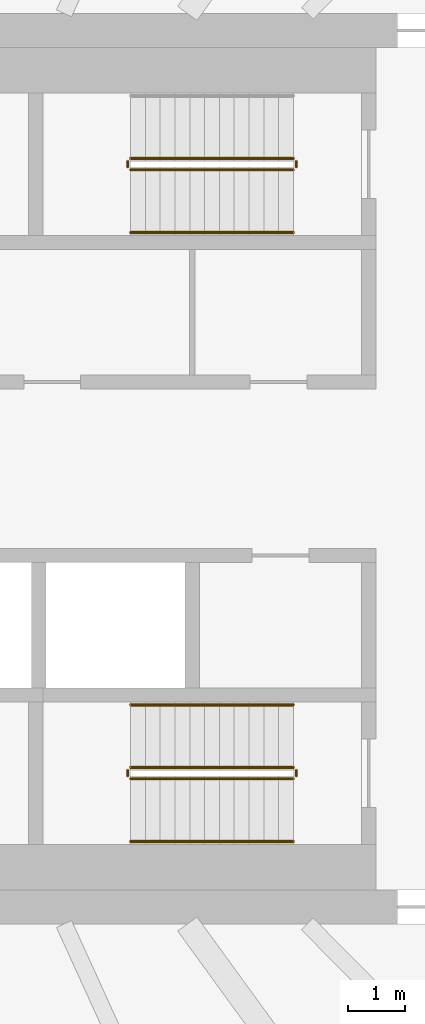
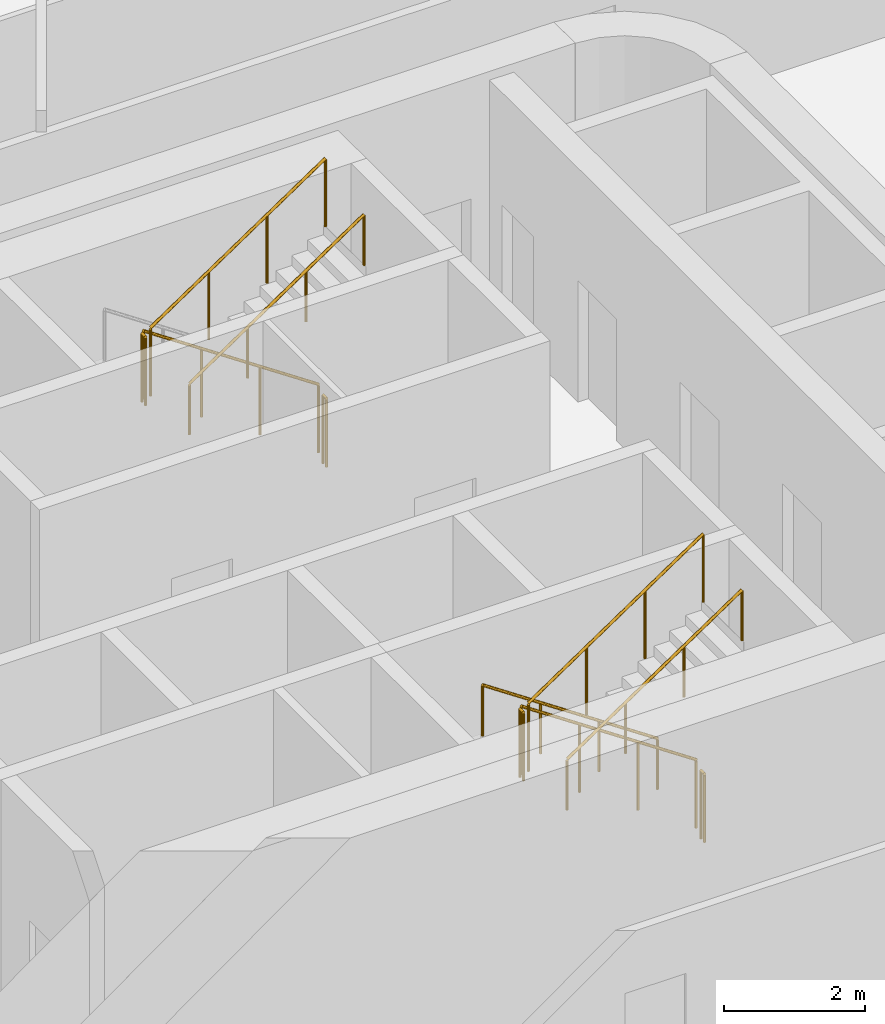
# One storey, part 23 of 25: 11 railings.
"""IFC4 building model written with IfcOpenShell, lengths in metres."""

from ifc_helpers import new_model, si_unit, direction, frame, origin, origin_2d, place, context, subcontext, project, spatial, circle, extrude, material, type_object, element, save


model = new_model("IFC4")

# Units and contexts
model_context = context("Model", 3, precision=1e-05, world=origin(), true_north=direction((0.0, 1.0)))
body_context = subcontext(model_context, "Body", "Model", "MODEL_VIEW")
ifc_project = project(units=[si_unit("LENGTHUNIT", "METRE"), si_unit("AREAUNIT", "SQUARE_METRE"), si_unit("VOLUMEUNIT", "CUBIC_METRE"), si_unit("PLANEANGLEUNIT", "RADIAN"), si_unit("MASSUNIT", "GRAM", prefix="KILO")], contexts=[model_context])

# Site, building, storey
site_placement = place(None, origin())
site = spatial("IfcSite", under=ifc_project, at=site_placement, CompositionType="ELEMENT")
building_placement = place(site_placement, origin())
building = spatial("IfcBuilding", under=site, at=building_placement, Name="Sahrelin Media Tower", CompositionType="ELEMENT")
storey_placement = place(building_placement, frame((0.0, 0.0, 110.39990234375)))
storey = spatial("IfcBuildingStorey", under=building, at=storey_placement, Name="L21", CompositionType="ELEMENT", Elevation=110.39990234375)

# Railings
ifc_material = material(Name="Steel S355", Category="steel")
railing_type_1 = type_object("IfcRailingType", Name="Stair guard 1200", PredefinedType="GUARDRAIL", material=ifc_material)
railing_1_placement = place(storey_placement, frame((7.675048828125, 5.449951171875, 0.175048828125)))
element("IfcRailing", 1, at=railing_1_placement, inside=storey, type_object=railing_type_1, Name="L21 ST3 stair guard 1", PredefinedType="GUARDRAIL", context=body_context, shape_type="SweptSolid", body=[
    extrude(circle(Radius=0.02392578125, at=origin_2d()), frame((0.0, 0.0, 1.17578125), z_axis=(-0.829590901723, 0.0, 0.558371682465), x_axis=(0.0, -1.0, 0.0)), (0.0, 0.0, 1.0), 3.447509765625),
    extrude(circle(Radius=0.02099609375, at=origin_2d()), origin(), (0.0, 0.0, 1.0), 1.15185546875),
    extrude(circle(Radius=0.02099609375, at=origin_2d()), frame((-0.953369140625, 0.0, 0.6416015625)), (0.0, 0.0, 1.0), 1.15185546875),
    extrude(circle(Radius=0.02099609375, at=origin_2d()), frame((-1.90673828125, 0.0, 1.283447265625)), (0.0, 0.0, 1.0), 1.15185546875),
    extrude(circle(Radius=0.02099609375, at=origin_2d()), frame((-2.860107421875, 0.0, 1.925048828125)), (0.0, 0.0, 1.0), 1.15185546875),
])
railing_2_placement = place(storey_placement, frame((4.764892578125, 5.39990234375, 2.10009765625)))
element("IfcRailing", 2, at=railing_2_placement, inside=storey, type_object=railing_type_1, Name="L21 ST3 stair guard 2", PredefinedType="GUARDRAIL", context=body_context, shape_type="SweptSolid", body=[
    extrude(circle(Radius=0.02392578125, at=origin_2d()), frame((0.0, 0.0, 1.17578125), z_axis=(0.0, -1.0, 0.0), x_axis=(1.0, 0.0, 0.0)), (0.0, 0.0, 1.0), 0.099853515625),
    extrude(circle(Radius=0.02099609375, at=origin_2d()), origin(), (0.0, 0.0, 1.0), 1.15185546875),
    extrude(circle(Radius=0.02099609375, at=origin_2d()), frame((0.0, -0.099853515625, 0.0)), (0.0, 0.0, 1.0), 1.15185546875),
])
railing_3_placement = place(storey_placement, frame((4.81494140625, 5.25, 2.275146484375)))
element("IfcRailing", 3, at=railing_3_placement, inside=storey, type_object=railing_type_1, Name="L21 ST3 stair guard 3", PredefinedType="GUARDRAIL", context=body_context, shape_type="SweptSolid", body=[
    extrude(circle(Radius=0.02392578125, at=origin_2d()), frame((0.0, 0.0, 1.17578125), z_axis=(0.829590901723, 0.0, 0.558371682465), x_axis=(0.0, 1.0, 0.0)), (0.0, 0.0, 1.0), 3.447509765625),
    extrude(circle(Radius=0.02099609375, at=origin_2d()), origin(), (0.0, 0.0, 1.0), 1.15185546875),
    extrude(circle(Radius=0.02099609375, at=origin_2d()), frame((0.953369140625, 0.0, 0.6416015625)), (0.0, 0.0, 1.0), 1.15185546875),
    extrude(circle(Radius=0.02099609375, at=origin_2d()), frame((1.90673828125, 0.0, 1.283447265625)), (0.0, 0.0, 1.0), 1.15185546875),
    extrude(circle(Radius=0.02099609375, at=origin_2d()), frame((2.860107421875, 0.0, 1.925048828125)), (0.0, 0.0, 1.0), 1.15185546875),
])
railing_4_placement = place(storey_placement, frame((7.72509765625, 5.39990234375, 0.0)))
element("IfcRailing", 4, at=railing_4_placement, inside=storey, type_object=railing_type_1, Name="L21 ST3 stair guard 4", PredefinedType="GUARDRAIL", context=body_context, shape_type="SweptSolid", body=[
    extrude(circle(Radius=0.02392578125, at=origin_2d()), frame((0.0, 0.0, 1.17578125), z_axis=(0.0, -1.0, 0.0), x_axis=(1.0, 0.0, 0.0)), (0.0, 0.0, 1.0), 0.099853515625),
    extrude(circle(Radius=0.02099609375, at=origin_2d()), origin(), (0.0, 0.0, 1.0), 1.15185546875),
    extrude(circle(Radius=0.02099609375, at=origin_2d()), frame((0.0, -0.099853515625, 0.0)), (0.0, 0.0, 1.0), 1.15185546875),
])
railing_5_placement = place(storey_placement, frame((7.675048828125, -5.25, 0.175048828125)))
element("IfcRailing", 5, at=railing_5_placement, inside=storey, type_object=railing_type_1, Name="L21 ST2 stair guard 1", PredefinedType="GUARDRAIL", context=body_context, shape_type="SweptSolid", body=[
    extrude(circle(Radius=0.02392578125, at=origin_2d()), frame((0.0, 0.0, 1.17578125), z_axis=(-0.829590901723, 0.0, 0.558371682465), x_axis=(0.0, -1.0, 0.0)), (0.0, 0.0, 1.0), 3.447509765625),
    extrude(circle(Radius=0.02099609375, at=origin_2d()), origin(), (0.0, 0.0, 1.0), 1.15185546875),
    extrude(circle(Radius=0.02099609375, at=origin_2d()), frame((-0.953369140625, 0.0, 0.6416015625)), (0.0, 0.0, 1.0), 1.15185546875),
    extrude(circle(Radius=0.02099609375, at=origin_2d()), frame((-1.90673828125, 0.0, 1.283447265625)), (0.0, 0.0, 1.0), 1.15185546875),
    extrude(circle(Radius=0.02099609375, at=origin_2d()), frame((-2.860107421875, 0.0, 1.925048828125)), (0.0, 0.0, 1.0), 1.15185546875),
])
railing_6_placement = place(storey_placement, frame((4.764892578125, -5.300048828125, 2.10009765625)))
element("IfcRailing", 6, at=railing_6_placement, inside=storey, type_object=railing_type_1, Name="L21 ST2 stair guard 2", PredefinedType="GUARDRAIL", context=body_context, shape_type="SweptSolid", body=[
    extrude(circle(Radius=0.02392578125, at=origin_2d()), frame((0.0, 0.0, 1.17578125), z_axis=(0.0, -1.0, 0.0), x_axis=(1.0, 0.0, 0.0)), (0.0, 0.0, 1.0), 0.099853515625),
    extrude(circle(Radius=0.02099609375, at=origin_2d()), origin(), (0.0, 0.0, 1.0), 1.15185546875),
    extrude(circle(Radius=0.02099609375, at=origin_2d()), frame((0.0, -0.099853515625, 0.0)), (0.0, 0.0, 1.0), 1.15185546875),
])
railing_7_placement = place(storey_placement, frame((4.81494140625, -5.449951171875, 2.275146484375)))
element("IfcRailing", 7, at=railing_7_placement, inside=storey, type_object=railing_type_1, Name="L21 ST2 stair guard 3", PredefinedType="GUARDRAIL", context=body_context, shape_type="SweptSolid", body=[
    extrude(circle(Radius=0.02392578125, at=origin_2d()), frame((0.0, 0.0, 1.17578125), z_axis=(0.829590901723, 0.0, 0.558371682465), x_axis=(0.0, 1.0, 0.0)), (0.0, 0.0, 1.0), 3.447509765625),
    extrude(circle(Radius=0.02099609375, at=origin_2d()), origin(), (0.0, 0.0, 1.0), 1.15185546875),
    extrude(circle(Radius=0.02099609375, at=origin_2d()), frame((0.953369140625, 0.0, 0.6416015625)), (0.0, 0.0, 1.0), 1.15185546875),
    extrude(circle(Radius=0.02099609375, at=origin_2d()), frame((1.90673828125, 0.0, 1.283447265625)), (0.0, 0.0, 1.0), 1.15185546875),
    extrude(circle(Radius=0.02099609375, at=origin_2d()), frame((2.860107421875, 0.0, 1.925048828125)), (0.0, 0.0, 1.0), 1.15185546875),
])
railing_8_placement = place(storey_placement, frame((7.72509765625, -5.300048828125, 0.0)))
element("IfcRailing", 8, at=railing_8_placement, inside=storey, type_object=railing_type_1, Name="L21 ST2 stair guard 4", PredefinedType="GUARDRAIL", context=body_context, shape_type="SweptSolid", body=[
    extrude(circle(Radius=0.02392578125, at=origin_2d()), frame((0.0, 0.0, 1.17578125), z_axis=(0.0, -1.0, 0.0), x_axis=(1.0, 0.0, 0.0)), (0.0, 0.0, 1.0), 0.099853515625),
    extrude(circle(Radius=0.02099609375, at=origin_2d()), origin(), (0.0, 0.0, 1.0), 1.15185546875),
    extrude(circle(Radius=0.02099609375, at=origin_2d()), frame((0.0, -0.099853515625, 0.0)), (0.0, 0.0, 1.0), 1.15185546875),
])
railing_type_2 = type_object("IfcRailingType", Name="Stair handrail 900", PredefinedType="HANDRAIL", material=ifc_material)
railing_9_placement = place(storey_placement, frame((4.81494140625, 4.14990234375, 2.275146484375)))
element("IfcRailing", 9, at=railing_9_placement, inside=storey, type_object=railing_type_2, Name="L21 ST3 stair handrail 2", PredefinedType="HANDRAIL", context=body_context, shape_type="SweptSolid", body=[
    extrude(circle(Radius=0.02392578125, at=origin_2d()), frame((0.0, 0.0, 0.8759765625), z_axis=(0.829590901723, 0.0, 0.558371682465), x_axis=(0.0, 1.0, 0.0)), (0.0, 0.0, 1.0), 3.447509765625),
    extrude(circle(Radius=0.02099609375, at=origin_2d()), origin(), (0.0, 0.0, 1.0), 0.851806640625),
    extrude(circle(Radius=0.02099609375, at=origin_2d()), frame((0.953369140625, 0.0, 0.6416015625)), (0.0, 0.0, 1.0), 0.851806640625),
    extrude(circle(Radius=0.02099609375, at=origin_2d()), frame((1.90673828125, 0.0, 1.283447265625)), (0.0, 0.0, 1.0), 0.851806640625),
    extrude(circle(Radius=0.02099609375, at=origin_2d()), frame((2.860107421875, 0.0, 1.925048828125)), (0.0, 0.0, 1.0), 0.851806640625),
])
railing_10_placement = place(storey_placement, frame((7.675048828125, -4.14990234375, 0.175048828125)))
element("IfcRailing", 10, at=railing_10_placement, inside=storey, type_object=railing_type_2, Name="L21 ST2 stair handrail 1", PredefinedType="HANDRAIL", context=body_context, shape_type="SweptSolid", body=[
    extrude(circle(Radius=0.02392578125, at=origin_2d()), frame((0.0, 0.0, 0.8759765625), z_axis=(-0.829590901723, 0.0, 0.558371682465), x_axis=(0.0, -1.0, 0.0)), (0.0, 0.0, 1.0), 3.447509765625),
    extrude(circle(Radius=0.02099609375, at=origin_2d()), origin(), (0.0, 0.0, 1.0), 0.851806640625),
    extrude(circle(Radius=0.02099609375, at=origin_2d()), frame((-0.953369140625, 0.0, 0.6416015625)), (0.0, 0.0, 1.0), 0.851806640625),
    extrude(circle(Radius=0.02099609375, at=origin_2d()), frame((-1.90673828125, 0.0, 1.283447265625)), (0.0, 0.0, 1.0), 0.851806640625),
    extrude(circle(Radius=0.02099609375, at=origin_2d()), frame((-2.860107421875, 0.0, 1.925048828125)), (0.0, 0.0, 1.0), 0.851806640625),
])
railing_11_placement = place(storey_placement, frame((4.81494140625, -6.550048828125, 2.275146484375)))
element("IfcRailing", 11, at=railing_11_placement, inside=storey, type_object=railing_type_2, Name="L21 ST2 stair handrail 2", PredefinedType="HANDRAIL", context=body_context, shape_type="SweptSolid", body=[
    extrude(circle(Radius=0.02392578125, at=origin_2d()), frame((0.0, 0.0, 0.8759765625), z_axis=(0.829590901723, 0.0, 0.558371682465), x_axis=(0.0, 1.0, 0.0)), (0.0, 0.0, 1.0), 3.447509765625),
    extrude(circle(Radius=0.02099609375, at=origin_2d()), origin(), (0.0, 0.0, 1.0), 0.851806640625),
    extrude(circle(Radius=0.02099609375, at=origin_2d()), frame((0.953369140625, 0.0, 0.6416015625)), (0.0, 0.0, 1.0), 0.851806640625),
    extrude(circle(Radius=0.02099609375, at=origin_2d()), frame((1.90673828125, 0.0, 1.283447265625)), (0.0, 0.0, 1.0), 0.851806640625),
    extrude(circle(Radius=0.02099609375, at=origin_2d()), frame((2.860107421875, 0.0, 1.925048828125)), (0.0, 0.0, 1.0), 0.851806640625),
])

save(model, "model.ifc")
